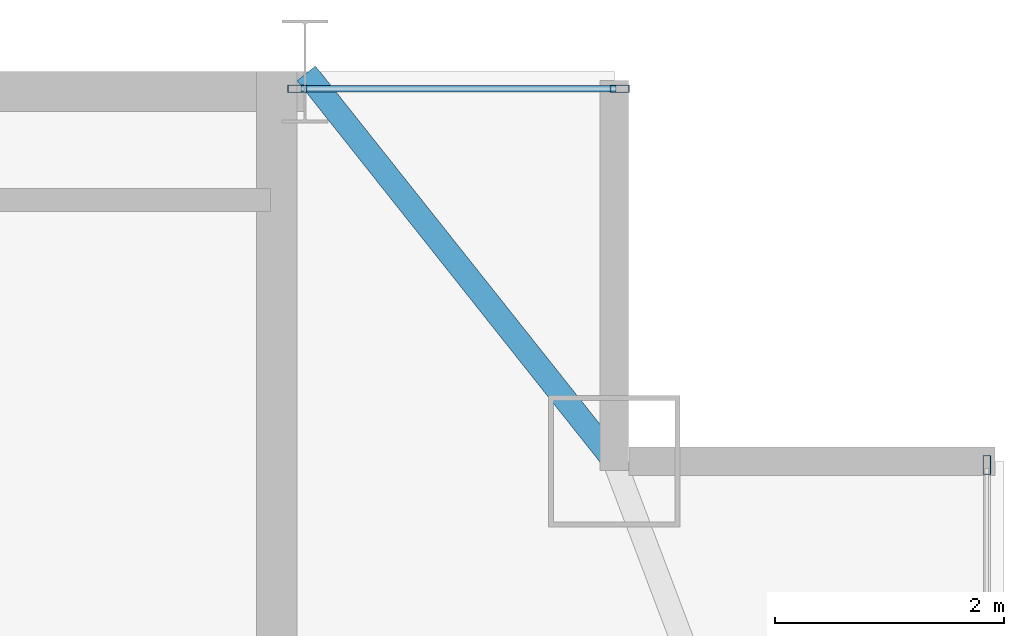
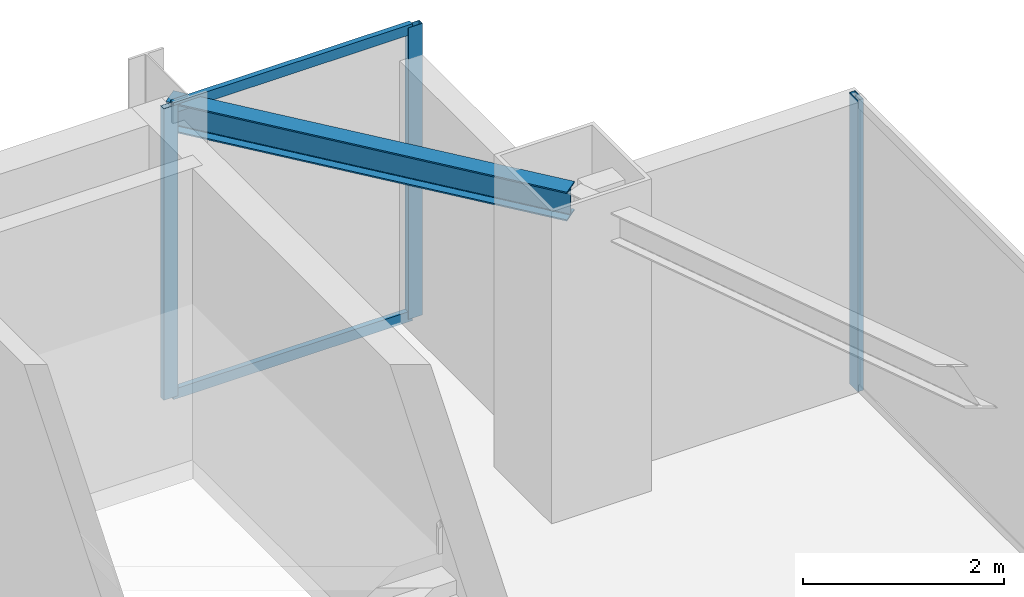
# One storey, part 18 of 25: 5 members, 1 beam, 2 elements without a shape of their own.
"""IFC4 building model written with IfcOpenShell, lengths in metres."""

import ifcopenshell
import ifcopenshell.guid

model = None  # the IFC model being written
_history = None  # IfcOwnerHistory: only IFC2X3 demands one
_inside = {}  # id of a spatial element -> (the spatial element, [elements in it])
_under = {}  # id of a project, library or spatial element -> (it, [spatial elements below it])
_declared = {}  # id of a project -> (the project, [libraries it declares])
_typed = {}  # id of a type object -> (the type object, [elements of that type])
_made_of = {}  # id of a material, layer set ... -> (it, [elements and type objects made of it])


def new_model(schema):
    """Start an empty IFC model of exactly this schema.

    Asked for "IFC4X3", IfcOpenShell would pick the latest addendum, in which some entities
    have other attributes; the version numbers below select the first issue.
    IFC2X3 requires an IfcOwnerHistory on every rooted entity: one is made here for all.
    """
    global model, _history
    if schema == "IFC4X3":
        model = ifcopenshell.file(schema_version=(4, 3, 0, 0))
    else:
        model = ifcopenshell.file(schema=schema)
    _inside.clear()
    _under.clear()
    _declared.clear()
    _typed.clear()
    _made_of.clear()
    _history = None
    if model.schema == "IFC2X3":
        org = make("IfcOrganization", Name="unknown")
        user = make(
            "IfcPersonAndOrganization",
            ThePerson=make("IfcPerson", FamilyName="unknown"),
            TheOrganization=org,
        )
        app = make(
            "IfcApplication",
            ApplicationDeveloper=org,
            Version="unknown",
            ApplicationFullName="unknown",
            ApplicationIdentifier="unknown",
        )
        _history = make(
            "IfcOwnerHistory",
            OwningUser=user,
            OwningApplication=app,
            ChangeAction="ADDED",
            CreationDate=0,
        )
    return model


def make(cls, **values):
    """One entity of the class cls with the attributes given. An attribute that is None is left unset."""
    return model.create_entity(
        cls, **{name: value for name, value in values.items() if value is not None}
    )


def rooted(cls, **values):
    """An entity with a GlobalId (a new one), such as an element, a storey or a relation."""
    return make(cls, GlobalId=ifcopenshell.guid.new(), OwnerHistory=_history, **values)


def si_unit(unit_type, name, prefix=None):
    """IfcSIUnit, for example si_unit("LENGTHUNIT", "METRE", prefix="MILLI")."""
    return make("IfcSIUnit", UnitType=unit_type, Prefix=prefix, Name=name)


def assignment(units):
    """IfcUnitAssignment: the units of a project."""
    return None if units is None else make("IfcUnitAssignment", Units=units)


def point(xyz):
    """IfcCartesianPoint."""
    return None if xyz is None else make("IfcCartesianPoint", Coordinates=xyz)


def direction(xyz):
    """IfcDirection."""
    return None if xyz is None else make("IfcDirection", DirectionRatios=xyz)


def frame(location, z_axis=None, x_axis=None):
    """IfcAxis2Placement3D, a coordinate frame: its origin and axes. An axis left out is left unset."""
    return make(
        "IfcAxis2Placement3D",
        Location=point(location),
        Axis=direction(z_axis),
        RefDirection=direction(x_axis),
    )


def frame_2d(location, x_axis=None):
    """IfcAxis2Placement2D, a coordinate frame in the plane: its origin and x axis."""
    return make(
        "IfcAxis2Placement2D", Location=point(location), RefDirection=direction(x_axis)
    )


def origin():
    """The frame at (0, 0, 0) with its axes left unset."""
    return frame((0.0, 0.0, 0.0))


def origin_2d():
    """The frame at (0, 0) in the plane with its x axis left unset."""
    return frame_2d((0.0, 0.0))


def place(relative_to, where):
    """IfcLocalPlacement: puts the frame where relative to a parent placement (None: the world)."""
    return make(
        "IfcLocalPlacement", PlacementRelTo=relative_to, RelativePlacement=where
    )


def context(
    kind, dimensions, precision=None, world=None, true_north=None, identifier=None
):
    """IfcGeometricRepresentationContext, for example the 3D "Model" context."""
    return make(
        "IfcGeometricRepresentationContext",
        ContextIdentifier=identifier,
        ContextType=kind,
        CoordinateSpaceDimension=dimensions,
        Precision=precision,
        WorldCoordinateSystem=world,
        TrueNorth=true_north,
    )


def subcontext(parent, identifier, kind, view, scale=None):
    """IfcGeometricRepresentationSubContext, for example "Body" below "Model"."""
    return make(
        "IfcGeometricRepresentationSubContext",
        ContextIdentifier=identifier,
        ContextType=kind,
        ParentContext=parent,
        TargetScale=scale,
        TargetView=view,
    )


def project(units=None, contexts=None):
    """IfcProject with its units and contexts."""
    return rooted(
        "IfcProject",
        Name="project",
        RepresentationContexts=contexts,
        UnitsInContext=assignment(units),
    )


def spatial(cls, under=None, at=None, **own):
    """A site, building, storey or space (cls), placed at a placement, below another one or the project."""
    s = rooted(cls, ObjectPlacement=at, **own)
    if under is not None:
        _under.setdefault(under.id(), (under, []))[1].append(s)
    return s


def profile(cls, at=None, kind="AREA", **sizes):
    """A parametric profile (cls). Its sizes go by their IFC names, for example OverallWidth=200.0."""
    return make(cls, ProfileType=kind, Position=at, **sizes)


def hollow_rectangle(**sizes):
    """IfcRectangleHollowProfileDef."""
    return profile("IfcRectangleHollowProfileDef", **sizes)


def i_section(**sizes):
    """IfcIShapeProfileDef."""
    return profile("IfcIShapeProfileDef", **sizes)


def extrude(swept, where, along, depth):
    """IfcExtrudedAreaSolid: the profile swept, set in the frame where, extruded along a direction by depth."""
    return make(
        "IfcExtrudedAreaSolid",
        SweptArea=swept,
        Position=where,
        ExtrudedDirection=direction(along),
        Depth=depth,
    )


def shape(context_of_items, identifier, shape_type, items):
    """IfcShapeRepresentation: the items that make up one representation, for example the "Body"."""
    return make(
        "IfcShapeRepresentation",
        ContextOfItems=context_of_items,
        RepresentationIdentifier=identifier,
        RepresentationType=shape_type,
        Items=items,
    )


def source(mapping_origin, context_of_items, identifier, shape_type, items):
    """IfcRepresentationMap: a shape defined once, which mapped items show again and again."""
    return make(
        "IfcRepresentationMap",
        MappingOrigin=mapping_origin,
        MappedRepresentation=shape(context_of_items, identifier, shape_type, items),
    )


def transform(
    local_origin,
    x_axis=None,
    y_axis=None,
    z_axis=None,
    scale=None,
    scale2=None,
    scale3=None,
    uniform=True,
):
    """IfcCartesianTransformationOperator3D, or its non-uniform kind. x_axis, y_axis, z_axis: its Axis1, 2, 3."""
    if uniform:
        return make(
            "IfcCartesianTransformationOperator3D",
            Axis1=direction(x_axis),
            Axis2=direction(y_axis),
            LocalOrigin=point(local_origin),
            Scale=scale,
            Axis3=direction(z_axis),
        )
    return make(
        "IfcCartesianTransformationOperator3DnonUniform",
        Axis1=direction(x_axis),
        Axis2=direction(y_axis),
        LocalOrigin=point(local_origin),
        Scale=scale,
        Axis3=direction(z_axis),
        Scale2=scale2,
        Scale3=scale3,
    )


def mapped(mapping_source, mapping_target):
    """IfcMappedItem: shows the shape of a source again, moved by a transform."""
    return make(
        "IfcMappedItem", MappingSource=mapping_source, MappingTarget=mapping_target
    )


def material(Name=None, Category=None):
    """IfcMaterial."""
    return make("IfcMaterial", Name=Name, Category=Category)


def layer(
    of_material, thickness, ventilated=None, Name=None, Category=None, Priority=None
):
    """IfcMaterialLayer: one layer of a wall or slab, of a material (None: an air gap)."""
    return make(
        "IfcMaterialLayer",
        Material=of_material,
        LayerThickness=thickness,
        IsVentilated=ventilated,
        Name=Name,
        Category=Category,
        Priority=Priority,
    )


def layer_set(layers, Name=None):
    """IfcMaterialLayerSet."""
    return make("IfcMaterialLayerSet", MaterialLayers=layers, LayerSetName=Name)


def material_profile(
    of_material, cross_section, Name=None, Category=None, Priority=None
):
    """IfcMaterialProfile: a cross section and its material."""
    return make(
        "IfcMaterialProfile",
        Name=Name,
        Material=of_material,
        Profile=cross_section,
        Priority=Priority,
        Category=Category,
    )


def profile_set(profiles, Name=None, composite=None):
    """IfcMaterialProfileSet."""
    return make(
        "IfcMaterialProfileSet",
        Name=Name,
        MaterialProfiles=profiles,
        CompositeProfile=composite,
    )


def made_of(thing, what):
    """Note that an element or type object is made of a material, layer set ...; save() writes the relation."""
    if what is not None:
        _made_of.setdefault(what.id(), (what, []))[1].append(thing)
    return thing


def type_object(cls, material=None, **own):
    """A type object (cls), such as IfcWallType, which elements share."""
    return made_of(rooted(cls, **own), material)


def type_shapes(of_type, sources):
    """Give a type object the sources (RepresentationMaps) that its elements show as mapped items."""
    of_type.RepresentationMaps = sources


def element(
    cls,
    number,
    at=None,
    inside=None,
    cuts=None,
    type_object=None,
    material=None,
    context=None,
    identifier="Body",
    shape_type=None,
    held_by="IfcProductDefinitionShape",
    body=None,
    shapes=None,
    **own,
):
    """One element of the class cls, such as IfcWall. Its Tag is "e" and its number.

    at: its placement. inside: the storey or other place that contains it. cuts: it is an
    opening in that element (IfcRelVoidsElement). A single representation is given by context,
    identifier, shape_type and body (its items); several are given by shapes. held_by: the class
    of the entity that holds the representations. save() writes the other relations.
    """
    e = rooted(cls, Tag="e%d" % number, ObjectPlacement=at, **own)
    if body is not None:
        shapes = [shape(context, identifier, shape_type, body)]
    if shapes is not None:
        e.Representation = make(held_by, Representations=shapes)
    if inside is not None:
        _inside.setdefault(inside.id(), (inside, []))[1].append(e)
    if cuts is not None:
        rooted(
            "IfcRelVoidsElement", RelatingBuildingElement=cuts, RelatedOpeningElement=e
        )
    if type_object is not None:
        _typed.setdefault(type_object.id(), (type_object, []))[1].append(e)
    return made_of(e, material)


def aggregate(whole, parts):
    """IfcRelAggregates: a whole, such as a stair, and the parts it consists of."""
    return rooted("IfcRelAggregates", RelatingObject=whole, RelatedObjects=parts)


def save(model, path):
    """Write the relations noted so far, then the file.

    IfcRelAggregates (storeys below a building ...), IfcRelContainedInSpatialStructure (elements
    in a storey), IfcRelDefinesByType, IfcRelAssociatesMaterial and IfcRelDeclares: one each for
    every whole, place, type object, material and project.
    """
    for whole, parts in _under.values():
        aggregate(whole, parts)
    for where, things in _inside.values():
        rooted(
            "IfcRelContainedInSpatialStructure",
            RelatedElements=things,
            RelatingStructure=where,
        )
    for kind, things in _typed.values():
        rooted("IfcRelDefinesByType", RelatedObjects=things, RelatingType=kind)
    for what, things in _made_of.values():
        rooted("IfcRelAssociatesMaterial", RelatedObjects=things, RelatingMaterial=what)
    for by, libraries in _declared.values():
        rooted("IfcRelDeclares", RelatingContext=by, RelatedDefinitions=libraries)
    model.write(path)


model = new_model("IFC4")

# Units and contexts
model_context = context("Model", 3, precision=1e-05, world=origin(), true_north=direction((0.0, 1.0)))
body_context = subcontext(model_context, "Body", "Model", "MODEL_VIEW")
ifc_project = project(units=[si_unit("LENGTHUNIT", "METRE"), si_unit("AREAUNIT", "SQUARE_METRE"), si_unit("VOLUMEUNIT", "CUBIC_METRE"), si_unit("PLANEANGLEUNIT", "RADIAN"), si_unit("MASSUNIT", "GRAM", prefix="KILO")], contexts=[model_context])

# Site, building, storey
site_placement = place(None, origin())
site = spatial("IfcSite", under=ifc_project, at=site_placement, CompositionType="ELEMENT")
building_placement = place(site_placement, origin())
building = spatial("IfcBuilding", under=site, at=building_placement, Name="Varnel Quay Broadcast Tower", CompositionType="ELEMENT")
storey_placement = place(building_placement, frame((0.0, 0.0, 250.800048828125)))
storey = spatial("IfcBuildingStorey", under=building, at=storey_placement, Name="L62", CompositionType="ELEMENT", Elevation=250.800048828125)

# Beam
ifc_material_1 = material(Name="Structural Steel CSA G40.21 350W", Category="steel")
ifc_material_profile_1 = material_profile(ifc_material_1, i_section(OverallWidth=0.205078125, OverallDepth=0.35400390625, WebThickness=0.009521484375, FlangeThickness=0.016845703125, FilletRadius=0.012939453125, at=origin_2d()), Name="W360X79")
ifc_profile_set_1 = profile_set([ifc_material_profile_1], Name="Structural Steel CSA G40.21 350W")
beam_type = type_object("IfcBeamType", Name="Beam_W360X79", PredefinedType="SPANDREL", material=ifc_profile_set_1)
shared_shape_1 = source(origin(), body_context, "Body", "SweptSolid", [
    extrude(i_section(OverallWidth=0.205078125, OverallDepth=0.35400390625, WebThickness=0.009521484375, FlangeThickness=0.016845703125, FilletRadius=0.012939453125, at=origin_2d()), origin(), (0.0, 0.0, 1.0), 4.301513671875),
])
type_shapes(beam_type, [shared_shape_1])
beam_placement = place(storey_placement, frame((52.412353515625, 46.7841796875, 3.373046875), z_axis=(0.621936399401, -0.783067758946, 0.0), x_axis=(0.783067758946, 0.621936399401, 0.0)))
element("IfcBeam", 1, at=beam_placement, inside=storey, type_object=beam_type, Name="L62 NE Tie Spandrel", PredefinedType="SPANDREL", context=body_context, shape_type="MappedRepresentation", body=[
    mapped(shared_shape_1, transform((0.0, 0.0, 0.0), x_axis=(1.0, 0.0, 0.0), y_axis=(0.0, 1.0, 0.0), z_axis=(0.0, 0.0, 1.0), scale=1.0)),
])

# Curtain wall, member
ifc_material_2 = material(Name="Anodised Bronze Aluminium 6063-T6", Category="aluminium")
ifc_layer = layer(ifc_material_2, 0.18994140625, Name="Anodised Bronze Aluminium 6063-T6")
ifc_layer_set = layer_set([ifc_layer], Name="Anodised Bronze Aluminium 6063-T6")
curtain_wall_type = type_object("IfcCurtainWallType", Name="CW_UpperTower", PredefinedType="NOTDEFINED", material=ifc_layer_set)
curtain_wall_1_placement = place(storey_placement, origin())
curtain_wall_1 = element("IfcCurtainWall", 2, at=curtain_wall_1_placement, inside=storey, type_object=curtain_wall_type, Name="L62 East Unitised Curtain Wall", PredefinedType="NOTDEFINED")
ifc_material_profile_2 = material_profile(ifc_material_2, hollow_rectangle(XDim=0.06494140625, YDim=0.1650390625, WallThickness=0.00341796875, at=origin_2d()), Name="ALU65X165X3.5")
ifc_profile_set_2 = profile_set([ifc_material_profile_2], Name="Anodised Bronze Aluminium 6063-T6")
member_type_1 = type_object("IfcMemberType", Name="Mull_CWS-03", PredefinedType="MULLION", material=ifc_profile_set_2)
shared_shape_2 = source(origin(), body_context, "Body", "SweptSolid", [
    extrude(hollow_rectangle(XDim=0.06494140625, YDim=0.1650390625, WallThickness=0.00341796875, at=origin_2d()), origin(), (0.0, 0.0, 1.0), 3.550048828125),
])
type_shapes(member_type_1, [shared_shape_2])
member_1_placement = place(storey_placement, frame((58.35009765625, 43.367431640625, 0.0), z_axis=(0.0, 0.0, 1.0), x_axis=(-1.0, 0.0, 0.0)))
member_1 = element("IfcMember", 3, at=member_1_placement, type_object=member_type_1, Name="CWS-03 mullion 3", PredefinedType="MULLION", context=body_context, shape_type="MappedRepresentation", body=[
    mapped(shared_shape_2, transform((0.0, 0.0, 0.0), x_axis=(1.0, 0.0, 0.0), y_axis=(0.0, 1.0, 0.0), z_axis=(0.0, 0.0, 1.0), scale=1.0)),
])
aggregate(curtain_wall_1, [member_1])

# Curtain wall, members
curtain_wall_2_placement = place(storey_placement, origin())
curtain_wall_2 = element("IfcCurtainWall", 4, at=curtain_wall_2_placement, inside=storey, type_object=curtain_wall_type, Name="L62 NE Wing Curtain Wall", PredefinedType="NOTDEFINED")
member_2_placement = place(storey_placement, frame((52.33251953125, 46.64990234375, 0.0), z_axis=(0.0, 0.0, 1.0), x_axis=(0.0, 1.0, 0.0)))
member_2 = element("IfcMember", 5, at=member_2_placement, type_object=member_type_1, Name="CWS-03 mullion 1", PredefinedType="MULLION", context=body_context, shape_type="MappedRepresentation", body=[
    mapped(shared_shape_2, transform((0.0, 0.0, 0.0), x_axis=(1.0, 0.0, 0.0), y_axis=(0.0, 1.0, 0.0), z_axis=(0.0, 0.0, 1.0), scale=1.0)),
])
member_3_placement = place(storey_placement, frame((55.1474609375, 46.64990234375, 0.0), z_axis=(0.0, 0.0, 1.0), x_axis=(0.0, 1.0, 0.0)))
member_3 = element("IfcMember", 6, at=member_3_placement, type_object=member_type_1, Name="CWS-03 mullion 2", PredefinedType="MULLION", context=body_context, shape_type="MappedRepresentation", body=[
    mapped(shared_shape_2, transform((0.0, 0.0, 0.0), x_axis=(1.0, 0.0, 0.0), y_axis=(0.0, 1.0, 0.0), z_axis=(0.0, 0.0, 1.0), scale=1.0)),
])
ifc_material_profile_3 = material_profile(ifc_material_2, hollow_rectangle(XDim=0.06005859375, YDim=0.125, WallThickness=0.0029296875, at=origin_2d()), Name="ALU60X125X3")
ifc_profile_set_3 = profile_set([ifc_material_profile_3], Name="Anodised Bronze Aluminium 6063-T6")
member_type_2 = type_object("IfcMemberType", Name="Tran_CWS-03", PredefinedType="USERDEFINED", material=ifc_profile_set_3)
shared_shape_3 = source(origin(), body_context, "Body", "SweptSolid", [
    extrude(hollow_rectangle(XDim=0.06005859375, YDim=0.125, WallThickness=0.0029296875, at=origin_2d()), origin(), (0.0, 0.0, 1.0), 2.75),
])
type_shapes(member_type_2, [shared_shape_3])
member_4_placement = place(storey_placement, frame((52.364990234375, 46.64990234375, 0.030029296875), z_axis=(1.0, 0.0, 0.0), x_axis=(0.0, 1.0, 0.0)))
member_4 = element("IfcMember", 7, at=member_4_placement, type_object=member_type_2, Name="CWS-03 transom 1.1", ObjectType="TRANSOM", PredefinedType="USERDEFINED", context=body_context, shape_type="MappedRepresentation", body=[
    mapped(shared_shape_3, transform((0.0, 0.0, 0.0), x_axis=(1.0, 0.0, 0.0), y_axis=(0.0, 1.0, 0.0), z_axis=(0.0, 0.0, 1.0), scale=1.0)),
])
member_5_placement = place(storey_placement, frame((52.364990234375, 46.64990234375, 3.52001953125), z_axis=(1.0, 0.0, 0.0), x_axis=(0.0, 1.0, 0.0)))
member_5 = element("IfcMember", 8, at=member_5_placement, type_object=member_type_2, Name="CWS-03 transom 1.2", ObjectType="TRANSOM", PredefinedType="USERDEFINED", context=body_context, shape_type="MappedRepresentation", body=[
    mapped(shared_shape_3, transform((0.0, 0.0, 0.0), x_axis=(1.0, 0.0, 0.0), y_axis=(0.0, 1.0, 0.0), z_axis=(0.0, 0.0, 1.0), scale=1.0)),
])
aggregate(curtain_wall_2, [member_2, member_3, member_4, member_5])

save(model, "model.ifc")
